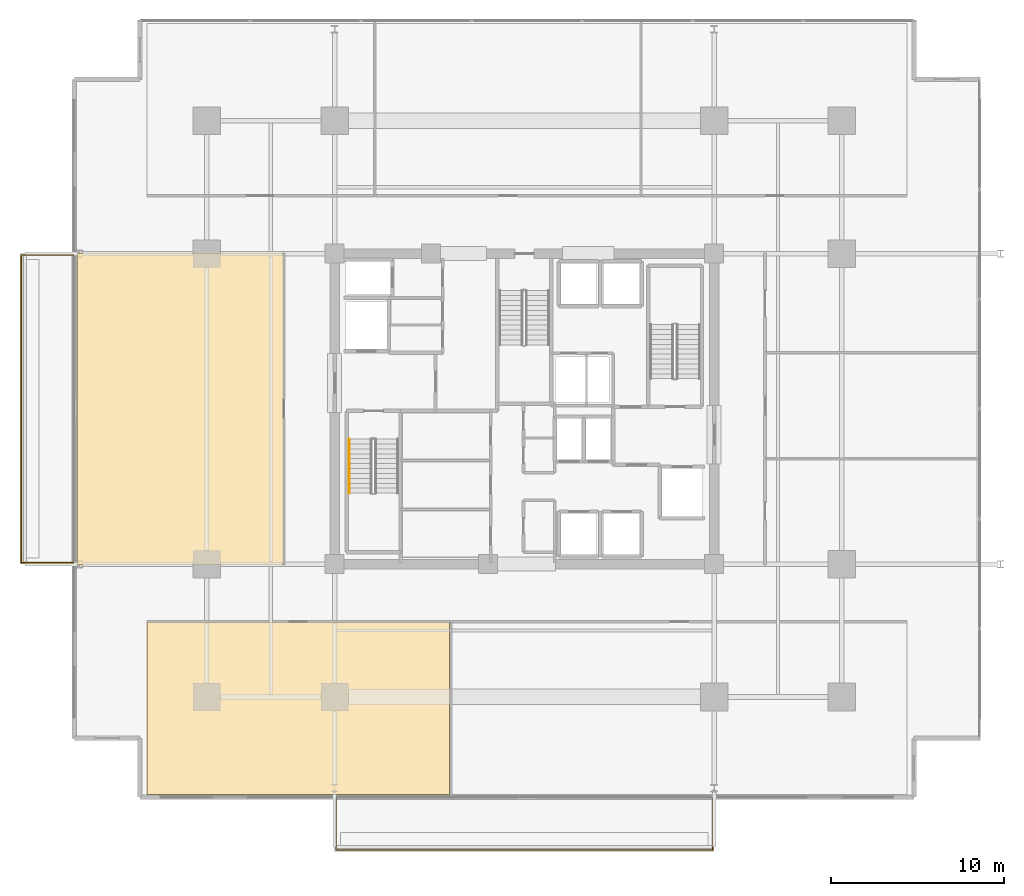
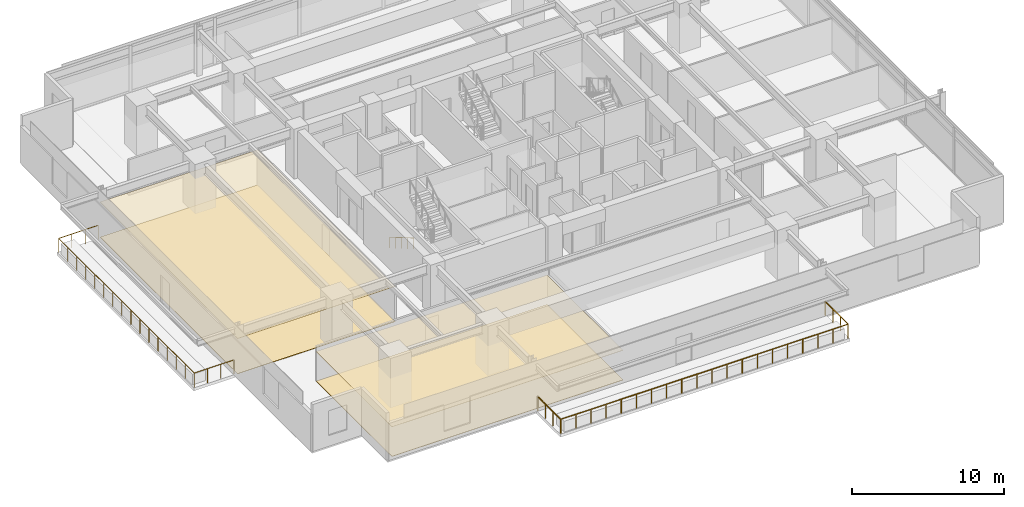
# One storey, part 18 of 23: 4 coverings, 3 railings.
"""IFC4 building model written with IfcOpenShell, lengths in metres."""

from ifc_helpers import new_model, si_unit, direction, frame, origin, origin_2d, place, context, subcontext, project, spatial, polyline, circle, outline, extrude, material, layer, layer_set, type_object, element, save


model = new_model("IFC4")

# Units and contexts
model_context = context("Model", 3, precision=1e-05, world=origin(), true_north=direction((0.0, 1.0)))
body_context = subcontext(model_context, "Body", "Model", "MODEL_VIEW")
ifc_project = project(units=[si_unit("LENGTHUNIT", "METRE"), si_unit("AREAUNIT", "SQUARE_METRE"), si_unit("VOLUMEUNIT", "CUBIC_METRE"), si_unit("PLANEANGLEUNIT", "RADIAN"), si_unit("MASSUNIT", "GRAM", prefix="KILO")], contexts=[model_context])

# Site, building, storey
site_placement = place(None, origin())
site = spatial("IfcSite", under=ifc_project, at=site_placement, CompositionType="ELEMENT")
building_placement = place(site_placement, origin())
building = spatial("IfcBuilding", under=site, at=building_placement, Name="Kovane Verandah Tower", CompositionType="ELEMENT")
storey_placement = place(building_placement, frame((0.0, 0.0, 136.39990234375)))
storey = spatial("IfcBuildingStorey", under=building, at=storey_placement, Name="L31", CompositionType="ELEMENT", Elevation=136.39990234375)

# Coverings
ifc_material_1 = material(Name="Perforated Acoustic Mineral-Fibre Ceiling Tile", Category="gypsum")
ifc_layer_1 = layer(ifc_material_1, 0.02490234375)
ifc_layer_set_1 = layer_set([ifc_layer_1], Name="Perforated Acoustic Mineral-Fibre Ceiling Tile")
covering_type_1 = type_object("IfcCoveringType", Name="CV-CEIL-25", PredefinedType="CEILING", material=ifc_layer_set_1)
covering_1_placement = place(storey_placement, frame((0.0, 0.0, 2.380126953125)))
element("IfcCovering", 1, at=covering_1_placement, inside=storey, type_object=covering_type_1, Name="L31 Breakout Pantry S1 Acoustic Ceiling", PredefinedType="CEILING", context=body_context, shape_type="SweptSolid", body=[
    extrude(outline(polyline([(18.113525390625, 5.1494140625), (35.674072265625, 5.1494140625), (35.674072265625, 15.14990234375), (18.113525390625, 15.14990234375), (18.113525390625, 5.1494140625)])), origin(), (0.0, 0.0, 1.0), 0.02490234375),
])
covering_2_placement = place(storey_placement, frame((0.0, 0.0, 2.8251953125)))
element("IfcCovering", 2, at=covering_2_placement, inside=storey, type_object=covering_type_1, Name="L31 Document and Print Room W1 Acoustic Ceiling", PredefinedType="CEILING", context=body_context, shape_type="SweptSolid", body=[
    extrude(outline(polyline([(14.063720703125, 18.449951171875), (26.050048828125, 18.449951171875), (26.050048828125, 36.550048828125), (14.063720703125, 36.550048828125), (14.063720703125, 18.449951171875)])), origin(), (0.0, 0.0, 1.0), 0.02490234375),
])
ifc_material_2 = material(Name="Polished Terrazzo and Raised-Access Carpet Tile Finish", Category="concrete")
ifc_layer_2 = layer(ifc_material_2, 0.030029296875)
ifc_layer_set_2 = layer_set([ifc_layer_2], Name="Polished Terrazzo and Raised-Access Carpet Tile Finish")
covering_type_2 = type_object("IfcCoveringType", Name="CV-FLOR-30", PredefinedType="FLOORING", material=ifc_layer_set_2)
covering_3_placement = place(storey_placement, origin())
element("IfcCovering", 3, at=covering_3_placement, inside=storey, type_object=covering_type_2, Name="L31 Breakout Pantry S1 Floor Finish", PredefinedType="FLOORING", context=body_context, shape_type="SweptSolid", body=[
    extrude(outline(polyline([(18.113525390625, 5.1494140625), (35.674072265625, 5.1494140625), (35.674072265625, 15.14990234375), (18.113525390625, 15.14990234375), (18.113525390625, 5.1494140625)])), origin(), (0.0, 0.0, 1.0), 0.030029296875),
])
covering_4_placement = place(storey_placement, origin())
element("IfcCovering", 4, at=covering_4_placement, inside=storey, type_object=covering_type_2, Name="L31 Document and Print Room W1 Floor Finish", PredefinedType="FLOORING", context=body_context, shape_type="SweptSolid", body=[
    extrude(outline(polyline([(14.063720703125, 18.449951171875), (26.050048828125, 18.449951171875), (26.050048828125, 36.550048828125), (14.063720703125, 36.550048828125), (14.063720703125, 18.449951171875)])), origin(), (0.0, 0.0, 1.0), 0.030029296875),
])

# Railings
ifc_material_3 = material(Name="Laminated Glass and Pale-Champagne Stainless Balustrade", Category="glass")
railing_type_1 = type_object("IfcRailingType", Name="RL-BAL-1150", PredefinedType="BALUSTRADE", material=ifc_material_3)
railing_1_placement = place(storey_placement, frame((29.080078125, 4.949462890625, 0.0)))
element("IfcRailing", 5, at=railing_1_placement, inside=storey, type_object=railing_type_1, Name="L31 S Verandah Glass Balustrade", PredefinedType="BALUSTRADE", context=body_context, shape_type="SweptSolid", body=[
    extrude(circle(Radius=0.02392578125, at=origin_2d()), frame((0.0, 0.0, 1.1259765625), z_axis=(0.0, -1.0, 0.0), x_axis=(1.0, 0.0, 0.0)), (0.0, 0.0, 1.0), 3.02001953125),
    extrude(circle(Radius=0.02392578125, at=origin_2d()), frame((0.0, -3.02001953125, 1.1259765625), z_axis=(1.0, 0.0, 0.0), x_axis=(0.0, 1.0, 0.0)), (0.0, 0.0, 1.0), 21.83984375),
    extrude(circle(Radius=0.02392578125, at=origin_2d()), frame((21.83984375, -3.02001953125, 1.1259765625), z_axis=(0.0, 1.0, 0.0), x_axis=(-1.0, 0.0, 0.0)), (0.0, 0.0, 1.0), 3.02001953125),
    extrude(circle(Radius=0.02099609375, at=origin_2d()), origin(), (0.0, 0.0, 1.0), 1.101806640625),
    extrude(circle(Radius=0.02099609375, at=origin_2d()), frame((0.0, -1.006591796875, 0.0)), (0.0, 0.0, 1.0), 1.101806640625),
    extrude(circle(Radius=0.02099609375, at=origin_2d()), frame((0.0, -2.013427734375, 0.0)), (0.0, 0.0, 1.0), 1.101806640625),
    extrude(circle(Radius=0.02099609375, at=origin_2d()), frame((0.0, -3.02001953125, 0.0)), (0.0, 0.0, 1.0), 1.101806640625),
    extrude(circle(Radius=0.02099609375, at=origin_2d()), frame((1.1494140625, -3.02001953125, 0.0)), (0.0, 0.0, 1.0), 1.101806640625),
    extrude(circle(Radius=0.02099609375, at=origin_2d()), frame((2.298828125, -3.02001953125, 0.0)), (0.0, 0.0, 1.0), 1.101806640625),
    extrude(circle(Radius=0.02099609375, at=origin_2d()), frame((3.448486328125, -3.02001953125, 0.0)), (0.0, 0.0, 1.0), 1.101806640625),
    extrude(circle(Radius=0.02099609375, at=origin_2d()), frame((4.597900390625, -3.02001953125, 0.0)), (0.0, 0.0, 1.0), 1.101806640625),
    extrude(circle(Radius=0.02099609375, at=origin_2d()), frame((5.747314453125, -3.02001953125, 0.0)), (0.0, 0.0, 1.0), 1.101806640625),
    extrude(circle(Radius=0.02099609375, at=origin_2d()), frame((6.896728515625, -3.02001953125, 0.0)), (0.0, 0.0, 1.0), 1.101806640625),
    extrude(circle(Radius=0.02099609375, at=origin_2d()), frame((8.046142578125, -3.02001953125, 0.0)), (0.0, 0.0, 1.0), 1.101806640625),
    extrude(circle(Radius=0.02099609375, at=origin_2d()), frame((9.19580078125, -3.02001953125, 0.0)), (0.0, 0.0, 1.0), 1.101806640625),
    extrude(circle(Radius=0.02099609375, at=origin_2d()), frame((10.34521484375, -3.02001953125, 0.0)), (0.0, 0.0, 1.0), 1.101806640625),
    extrude(circle(Radius=0.02099609375, at=origin_2d()), frame((11.49462890625, -3.02001953125, 0.0)), (0.0, 0.0, 1.0), 1.101806640625),
    extrude(circle(Radius=0.02099609375, at=origin_2d()), frame((12.64404296875, -3.02001953125, 0.0)), (0.0, 0.0, 1.0), 1.101806640625),
    extrude(circle(Radius=0.02099609375, at=origin_2d()), frame((13.793701171875, -3.02001953125, 0.0)), (0.0, 0.0, 1.0), 1.101806640625),
    extrude(circle(Radius=0.02099609375, at=origin_2d()), frame((14.943115234375, -3.02001953125, 0.0)), (0.0, 0.0, 1.0), 1.101806640625),
    extrude(circle(Radius=0.02099609375, at=origin_2d()), frame((16.092529296875, -3.02001953125, 0.0)), (0.0, 0.0, 1.0), 1.101806640625),
    extrude(circle(Radius=0.02099609375, at=origin_2d()), frame((17.241943359375, -3.02001953125, 0.0)), (0.0, 0.0, 1.0), 1.101806640625),
    extrude(circle(Radius=0.02099609375, at=origin_2d()), frame((18.391357421875, -3.02001953125, 0.0)), (0.0, 0.0, 1.0), 1.101806640625),
    extrude(circle(Radius=0.02099609375, at=origin_2d()), frame((19.541015625, -3.02001953125, 0.0)), (0.0, 0.0, 1.0), 1.101806640625),
    extrude(circle(Radius=0.02099609375, at=origin_2d()), frame((20.6904296875, -3.02001953125, 0.0)), (0.0, 0.0, 1.0), 1.101806640625),
    extrude(circle(Radius=0.02099609375, at=origin_2d()), frame((21.83984375, -3.02001953125, 0.0)), (0.0, 0.0, 1.0), 1.101806640625),
    extrude(circle(Radius=0.02099609375, at=origin_2d()), frame((21.83984375, -2.013427734375, 0.0)), (0.0, 0.0, 1.0), 1.101806640625),
    extrude(circle(Radius=0.02099609375, at=origin_2d()), frame((21.83984375, -1.006591796875, 0.0)), (0.0, 0.0, 1.0), 1.101806640625),
    extrude(circle(Radius=0.02099609375, at=origin_2d()), frame((21.83984375, 0.0, 0.0)), (0.0, 0.0, 1.0), 1.101806640625),
])
railing_2_placement = place(storey_placement, frame((13.863525390625, 18.580078125, 0.0)))
element("IfcRailing", 6, at=railing_2_placement, inside=storey, type_object=railing_type_1, Name="L31 W Verandah Glass Balustrade", PredefinedType="BALUSTRADE", context=body_context, shape_type="SweptSolid", body=[
    extrude(circle(Radius=0.02392578125, at=origin_2d()), frame((0.0, 0.0, 1.1259765625), z_axis=(-1.0, 0.0, 0.0), x_axis=(0.0, -1.0, 0.0)), (0.0, 0.0, 1.0), 3.02001953125),
    extrude(circle(Radius=0.02392578125, at=origin_2d()), frame((-3.02001953125, 0.0, 1.1259765625), z_axis=(0.0, 1.0, 0.0), x_axis=(-1.0, 0.0, 0.0)), (0.0, 0.0, 1.0), 17.83984375),
    extrude(circle(Radius=0.02392578125, at=origin_2d()), frame((-3.02001953125, 17.83984375, 1.1259765625), z_axis=(1.0, 0.0, 0.0), x_axis=(0.0, 1.0, 0.0)), (0.0, 0.0, 1.0), 3.02001953125),
    extrude(circle(Radius=0.02099609375, at=origin_2d()), origin(), (0.0, 0.0, 1.0), 1.101806640625),
    extrude(circle(Radius=0.02099609375, at=origin_2d()), frame((-1.006591796875, 0.0, 0.0)), (0.0, 0.0, 1.0), 1.101806640625),
    extrude(circle(Radius=0.02099609375, at=origin_2d()), frame((-2.013427734375, 0.0, 0.0)), (0.0, 0.0, 1.0), 1.101806640625),
    extrude(circle(Radius=0.02099609375, at=origin_2d()), frame((-3.02001953125, 0.0, 0.0)), (0.0, 0.0, 1.0), 1.101806640625),
    extrude(circle(Radius=0.02099609375, at=origin_2d()), frame((-3.02001953125, 1.189208984375, 0.0)), (0.0, 0.0, 1.0), 1.101806640625),
    extrude(circle(Radius=0.02099609375, at=origin_2d()), frame((-3.02001953125, 2.378662109375, 0.0)), (0.0, 0.0, 1.0), 1.101806640625),
    extrude(circle(Radius=0.02099609375, at=origin_2d()), frame((-3.02001953125, 3.56787109375, 0.0)), (0.0, 0.0, 1.0), 1.101806640625),
    extrude(circle(Radius=0.02099609375, at=origin_2d()), frame((-3.02001953125, 4.75732421875, 0.0)), (0.0, 0.0, 1.0), 1.101806640625),
    extrude(circle(Radius=0.02099609375, at=origin_2d()), frame((-3.02001953125, 5.946533203125, 0.0)), (0.0, 0.0, 1.0), 1.101806640625),
    extrude(circle(Radius=0.02099609375, at=origin_2d()), frame((-3.02001953125, 7.135986328125, 0.0)), (0.0, 0.0, 1.0), 1.101806640625),
    extrude(circle(Radius=0.02099609375, at=origin_2d()), frame((-3.02001953125, 8.3251953125, 0.0)), (0.0, 0.0, 1.0), 1.101806640625),
    extrude(circle(Radius=0.02099609375, at=origin_2d()), frame((-3.02001953125, 9.5146484375, 0.0)), (0.0, 0.0, 1.0), 1.101806640625),
    extrude(circle(Radius=0.02099609375, at=origin_2d()), frame((-3.02001953125, 10.703857421875, 0.0)), (0.0, 0.0, 1.0), 1.101806640625),
    extrude(circle(Radius=0.02099609375, at=origin_2d()), frame((-3.02001953125, 11.893310546875, 0.0)), (0.0, 0.0, 1.0), 1.101806640625),
    extrude(circle(Radius=0.02099609375, at=origin_2d()), frame((-3.02001953125, 13.08251953125, 0.0)), (0.0, 0.0, 1.0), 1.101806640625),
    extrude(circle(Radius=0.02099609375, at=origin_2d()), frame((-3.02001953125, 14.27197265625, 0.0)), (0.0, 0.0, 1.0), 1.101806640625),
    extrude(circle(Radius=0.02099609375, at=origin_2d()), frame((-3.02001953125, 15.461181640625, 0.0)), (0.0, 0.0, 1.0), 1.101806640625),
    extrude(circle(Radius=0.02099609375, at=origin_2d()), frame((-3.02001953125, 16.650634765625, 0.0)), (0.0, 0.0, 1.0), 1.101806640625),
    extrude(circle(Radius=0.02099609375, at=origin_2d()), frame((-3.02001953125, 17.83984375, 0.0)), (0.0, 0.0, 1.0), 1.101806640625),
    extrude(circle(Radius=0.02099609375, at=origin_2d()), frame((-2.013427734375, 17.83984375, 0.0)), (0.0, 0.0, 1.0), 1.101806640625),
    extrude(circle(Radius=0.02099609375, at=origin_2d()), frame((-1.006591796875, 17.83984375, 0.0)), (0.0, 0.0, 1.0), 1.101806640625),
    extrude(circle(Radius=0.02099609375, at=origin_2d()), frame((0.0, 17.83984375, 0.0)), (0.0, 0.0, 1.0), 1.101806640625),
])
ifc_material_4 = material(Name="Brushed Stainless Steel Handrail", Category="steel")
railing_type_2 = type_object("IfcRailingType", Name="RL-HAND-920", PredefinedType="HANDRAIL", material=ifc_material_4)
railing_3_placement = place(storey_placement, frame((29.85009765625, 25.75, 0.166748046875)))
element("IfcRailing", 7, at=railing_3_placement, inside=storey, type_object=railing_type_2, Name="L31 ST-01 stair handrail 1", PredefinedType="HANDRAIL", context=body_context, shape_type="SweptSolid", body=[
    extrude(circle(Radius=0.02392578125, at=origin_2d()), frame((0.0, 0.0, 0.8759765625), z_axis=(0.0, -0.863239559939, 0.504794475164), x_axis=(1.0, 0.0, 0.0)), (0.0, 0.0, 1.0), 3.631591796875),
    extrude(circle(Radius=0.02099609375, at=origin_2d()), origin(), (0.0, 0.0, 1.0), 0.851806640625),
    extrude(circle(Radius=0.02099609375, at=origin_2d()), frame((0.0, -0.78369140625, 0.458251953125)), (0.0, 0.0, 1.0), 0.851806640625),
    extrude(circle(Radius=0.02099609375, at=origin_2d()), frame((0.0, -1.5673828125, 0.91650390625)), (0.0, 0.0, 1.0), 0.851806640625),
    extrude(circle(Radius=0.02099609375, at=origin_2d()), frame((0.0, -2.351318359375, 1.375)), (0.0, 0.0, 1.0), 0.851806640625),
    extrude(circle(Radius=0.02099609375, at=origin_2d()), frame((0.0, -3.135009765625, 1.833251953125)), (0.0, 0.0, 1.0), 0.851806640625),
])

save(model, "model.ifc")
